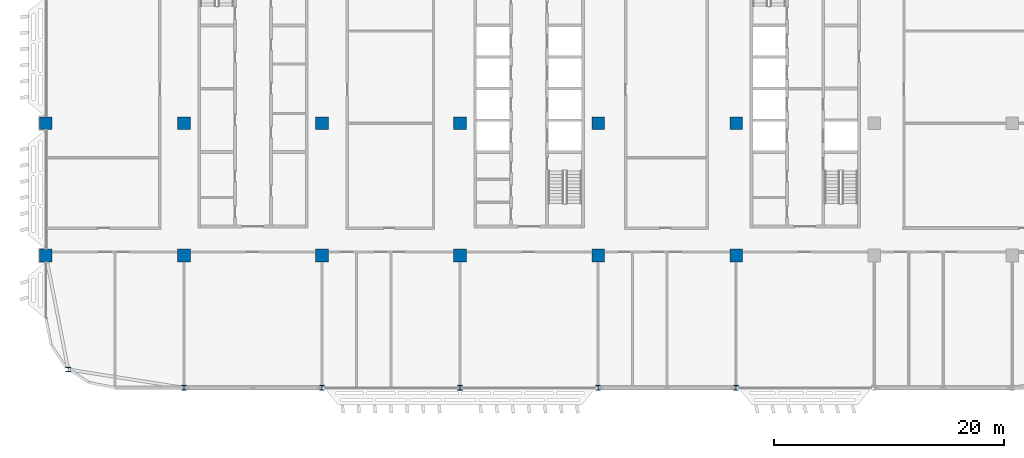
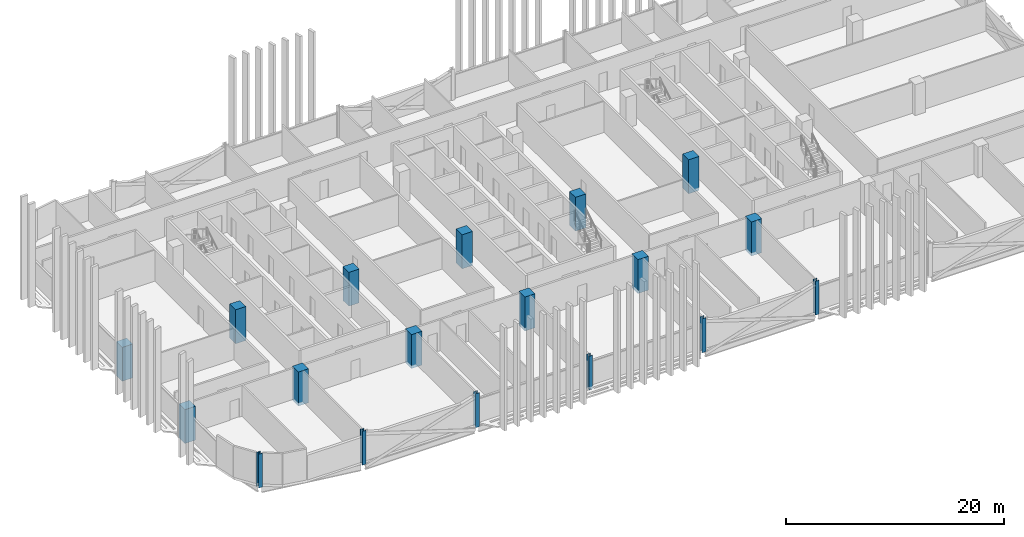
# One storey, part 1 of 30: 18 columns.
"""IFC4 building model written with IfcOpenShell, lengths in metres."""

from ifc_helpers import new_model, si_unit, direction, frame, origin, origin_2d, place, context, subcontext, project, spatial, rectangle, i_section, extrude, material, material_profile, profile_set, type_object, element, save


model = new_model("IFC4")

# Units and contexts
model_context = context("Model", 3, precision=1e-05, world=origin(), true_north=direction((0.0, 1.0)))
body_context = subcontext(model_context, "Body", "Model", "MODEL_VIEW")
ifc_project = project(units=[si_unit("LENGTHUNIT", "METRE"), si_unit("AREAUNIT", "SQUARE_METRE"), si_unit("VOLUMEUNIT", "CUBIC_METRE"), si_unit("PLANEANGLEUNIT", "RADIAN"), si_unit("MASSUNIT", "GRAM", prefix="KILO")], contexts=[model_context])

# Site, building, storey
site_placement = place(None, origin())
site = spatial("IfcSite", under=ifc_project, at=site_placement, CompositionType="ELEMENT")
building_placement = place(site_placement, origin())
building = spatial("IfcBuilding", under=site, at=building_placement, Name="Mahtab Terrace Research Tower", CompositionType="ELEMENT")
storey_placement = place(building_placement, frame((0.0, 0.0, 209.10009765625)))
storey = spatial("IfcBuildingStorey", under=building, at=storey_placement, Name="L50", CompositionType="ELEMENT", Elevation=209.10009765625)

# Columns
ifc_material_1 = material(Name="Concrete C70/85", Category="concrete")
ifc_material_profile_1 = material_profile(ifc_material_1, rectangle(XDim=1.10009765625, YDim=1.10009765625, at=origin_2d()), Name="RC column 1100x1100")
ifc_profile_set_1 = profile_set([ifc_material_profile_1], Name="Concrete C70/85")
column_type_1 = type_object("IfcColumnType", Name="RC column 1100x1100", PredefinedType="COLUMN", material=ifc_profile_set_1)
for number, where, z_axis, x_axis, name in (
    (1, (-42.0, -11.5, -0.340087890625), (0.0, 0.0, 1.0), (1.0, 0.0, 0.0), "Column RC-1A L50"),
    (2, (-42.0, 0.0, -0.340087890625), (0.0, 0.0, 1.0), (1.0, 0.0, 0.0), "Column RC-1B L50"),
    (3, (-30.0, -11.5, -0.340087890625), (0.0, 0.0, 1.0), (1.0, 0.0, 0.0), "Column RC-2A L50"),
    (4, (-30.0, 0.0, -0.340087890625), (0.0, 0.0, 1.0), (1.0, 0.0, 0.0), "Column RC-2B L50"),
    (5, (-18.0, -11.5, -0.340087890625), (0.0, 0.0, 1.0), (1.0, 0.0, 0.0), "Column RC-3A L50"),
    (6, (-18.0, 0.0, -0.340087890625), (0.0, 0.0, 1.0), (1.0, 0.0, 0.0), "Column RC-3B L50"),
    (7, (-6.0, -11.5, -0.340087890625), (0.0, 0.0, 1.0), (1.0, 0.0, 0.0), "Column RC-4A L50"),
    (8, (-6.0, 0.0, -0.340087890625), (0.0, 0.0, 1.0), (1.0, 0.0, 0.0), "Column RC-4B L50"),
    (9, (6.0, -11.5, -0.340087890625), (0.0, 0.0, 1.0), (1.0, 0.0, 0.0), "Column RC-5A L50"),
    (10, (6.0, 0.0, -0.340087890625), (0.0, 0.0, 1.0), (1.0, 0.0, 0.0), "Column RC-5B L50"),
    (11, (18.0, -11.5, -0.340087890625), (0.0, 0.0, 1.0), (1.0, 0.0, 0.0), "Column RC-6A L50"),
    (12, (18.0, 0.0, -0.340087890625), (0.0, 0.0, 1.0), (1.0, 0.0, 0.0), "Column RC-6B L50"),
):
    element("IfcColumn", number, at=place(storey_placement, frame(where, z_axis=z_axis, x_axis=x_axis)), inside=storey, type_object=column_type_1, Name=name, PredefinedType="COLUMN", context=body_context, shape_type="SweptSolid", body=[
        extrude(rectangle(XDim=1.10009765625, YDim=1.10009765625, at=origin_2d()), origin(), (0.0, 0.0, 1.0), 3.800048828125),
    ])
ifc_material_2 = material(Name="Steel ASTM A992 Gr 50", Category="steel")
ifc_material_profile_2 = material_profile(ifc_material_2, i_section(OverallWidth=0.4013671875, OverallDepth=0.398681640625, WebThickness=0.02490234375, FlangeThickness=0.03955078125, at=origin_2d()), Name="W14X211")
ifc_profile_set_2 = profile_set([ifc_material_profile_2], Name="Steel ASTM A992 Gr 50")
column_type_2 = type_object("IfcColumnType", Name="W14x211 column CS14211", PredefinedType="COLUMN", material=ifc_profile_set_2)
for number, where, z_axis, x_axis, name in (
    (13, (-40.06201171875, -21.416015625, -0.340087890625), (0.0, 0.0, 1.0), (1.0, 0.0, 0.0), "Column SC-025 L50"),
    (14, (-30.0, -23.0, -0.340087890625), (0.0, 0.0, 1.0), (1.0, 0.0, 0.0), "Column SC-013 L50"),
    (15, (-18.0, -23.0, -0.340087890625), (0.0, 0.0, 1.0), (1.0, 0.0, 0.0), "Column SC-014 L50"),
    (16, (-6.0, -23.0, -0.340087890625), (0.0, 0.0, 1.0), (1.0, 0.0, 0.0), "Column SC-015 L50"),
    (17, (6.0, -23.0, -0.340087890625), (0.0, 0.0, 1.0), (1.0, 0.0, 0.0), "Column SC-016 L50"),
    (18, (18.0, -23.0, -0.340087890625), (0.0, 0.0, 1.0), (1.0, 0.0, 0.0), "Column SC-017 L50"),
):
    element("IfcColumn", number, at=place(storey_placement, frame(where, z_axis=z_axis, x_axis=x_axis)), inside=storey, type_object=column_type_2, Name=name, PredefinedType="COLUMN", context=body_context, shape_type="SweptSolid", body=[
        extrude(i_section(OverallWidth=0.4013671875, OverallDepth=0.398681640625, WebThickness=0.02490234375, FlangeThickness=0.03955078125, at=origin_2d()), origin(), (0.0, 0.0, 1.0), 3.800048828125),
    ])

save(model, "model.ifc")
